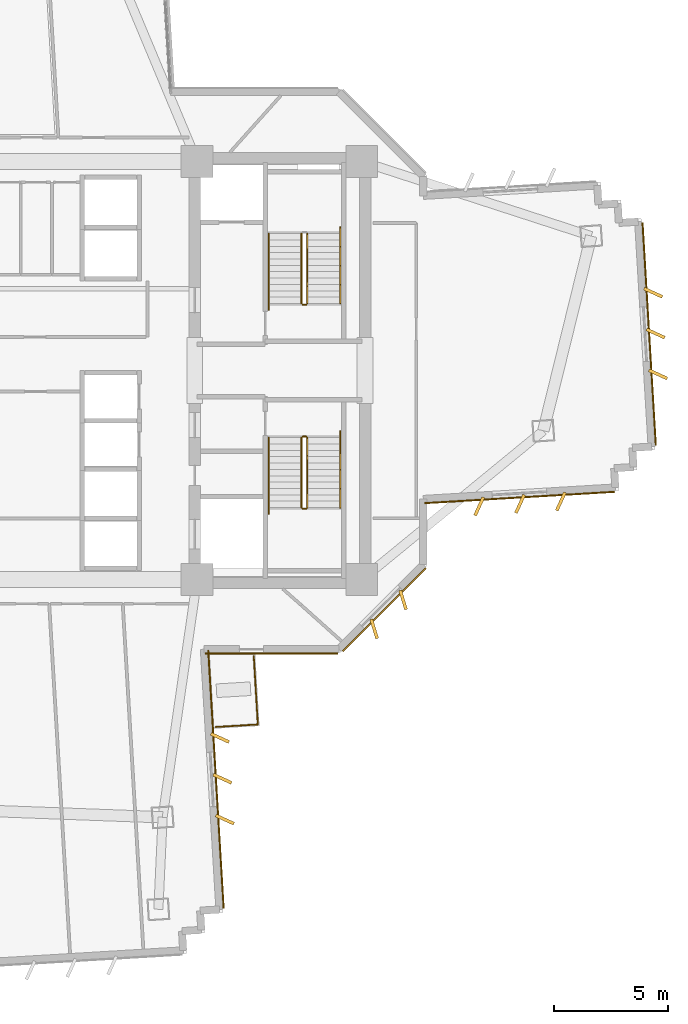
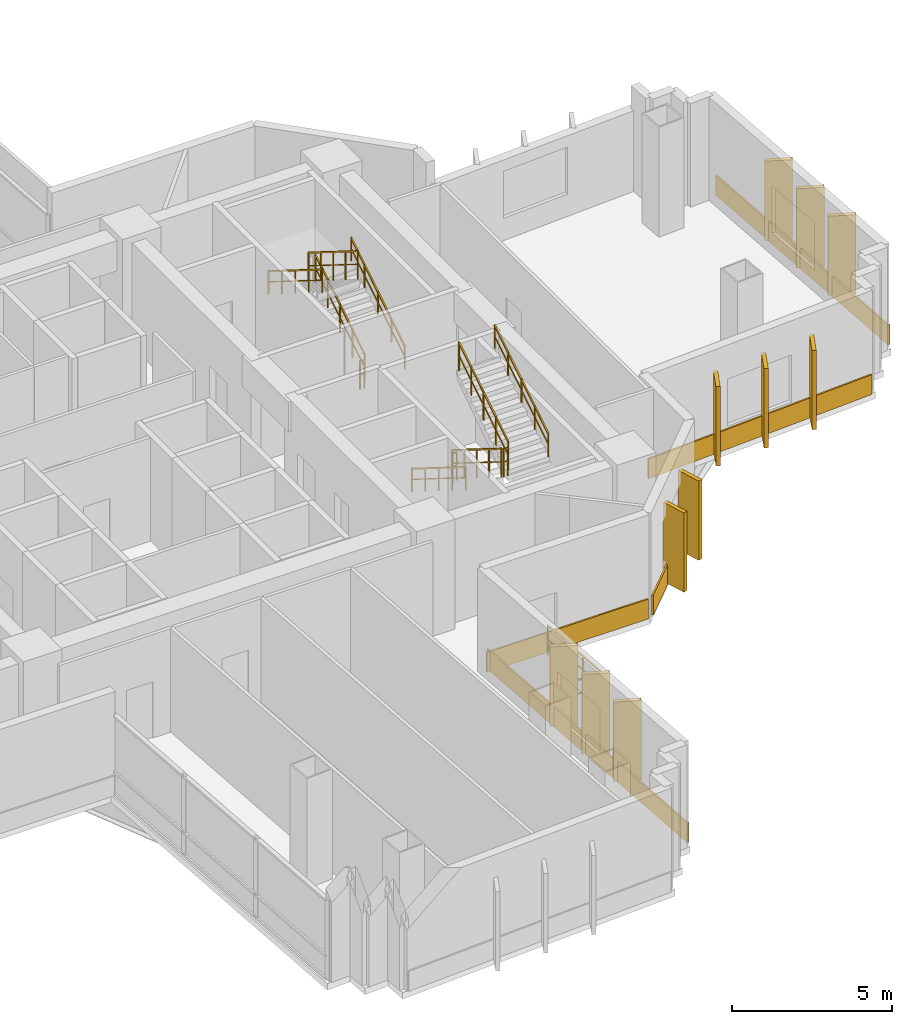
# One storey, part 13 of 15: 16 coverings, 13 railings.
"""IFC4 building model written with IfcOpenShell, lengths in metres."""

from ifc_helpers import new_model, si_unit, direction, frame, origin, origin_2d, place, context, subcontext, project, spatial, rectangle, extrude, source, transform, mapped, material, layer, layer_set, type_object, element, save


model = new_model("IFC4")

# Units and contexts
model_context = context("Model", 3, precision=1e-05, world=origin(), true_north=direction((0.0, 1.0)))
body_context = subcontext(model_context, "Body", "Model", "MODEL_VIEW")
ifc_project = project(units=[si_unit("LENGTHUNIT", "METRE"), si_unit("AREAUNIT", "SQUARE_METRE"), si_unit("VOLUMEUNIT", "CUBIC_METRE"), si_unit("PLANEANGLEUNIT", "RADIAN"), si_unit("MASSUNIT", "GRAM", prefix="KILO")], contexts=[model_context])

# Site, building, storey
site_placement = place(None, origin())
site = spatial("IfcSite", under=ifc_project, at=site_placement, CompositionType="ELEMENT")
building_placement = place(site_placement, origin())
building = spatial("IfcBuilding", under=site, at=building_placement, Name="Zahravan Cultural Tower", CompositionType="ELEMENT")
storey_placement = place(building_placement, frame((0.0, 0.0, 66.89990234375)))
storey = spatial("IfcBuildingStorey", under=building, at=storey_placement, Name="L14", CompositionType="ELEMENT", Elevation=66.89990234375)

# Railings
ifc_material_1 = material(Name="Steel ASTM A572 Grade 50", Category="steel")
railing_type_1 = type_object("IfcRailingType", Name="RL-BAL-1150", PredefinedType="BALUSTRADE", material=ifc_material_1)
railing_1_placement = place(storey_placement, frame((45.776611328125, 11.425537109375, 0.0)))
element("IfcRailing", 1, at=railing_1_placement, inside=storey, type_object=railing_type_1, Name="L14 Edge Balustrade GRD-TR-L14-SE-01", PredefinedType="BALUSTRADE", context=body_context, shape_type="SweptSolid", body=[
    extrude(rectangle(XDim=0.05, YDim=0.05, at=origin_2d()), frame((0.0, 0.0, 1.125), z_axis=(-0.99821980282, -0.059642478635, 0.0), x_axis=(0.059642478635, -0.99821980282, 0.0)), (0.0, 0.0, 1.0), 1.85009765625),
    extrude(rectangle(XDim=0.032, YDim=0.032, at=origin_2d()), frame((0.0, 0.0, 0.597900390625), z_axis=(-0.99821980282, -0.059642478635, 0.0), x_axis=(0.059642478635, -0.99821980282, 0.0)), (0.0, 0.0, 1.0), 1.85009765625),
    extrude(rectangle(XDim=0.04, YDim=0.04, at=origin_2d()), origin(), (0.0, 0.0, 1.0), 1.14990234375),
    extrude(rectangle(XDim=0.04, YDim=0.04, at=origin_2d()), frame((-0.92333984375, -0.05517578125, 0.0)), (0.0, 0.0, 1.0), 1.14990234375),
    extrude(rectangle(XDim=0.04, YDim=0.04, at=origin_2d()), frame((-1.846923828125, -0.1103515625, 0.0)), (0.0, 0.0, 1.0), 1.14990234375),
])
railing_2_placement = place(storey_placement, frame((45.597412109375, 14.419921875, 0.0)))
element("IfcRailing", 2, at=railing_2_placement, inside=storey, type_object=railing_type_1, Name="L14 Edge Balustrade GRD-TR-L14-SE-02", PredefinedType="BALUSTRADE", context=body_context, shape_type="SweptSolid", body=[
    extrude(rectangle(XDim=0.05, YDim=0.05, at=origin_2d()), frame((0.0, 0.0, 1.125), z_axis=(0.059738209015, -0.998214078434, 0.0), x_axis=(0.998214078434, 0.059738209015, 0.0)), (0.0, 0.0, 1.0), 2.999755859375),
    extrude(rectangle(XDim=0.032, YDim=0.032, at=origin_2d()), frame((0.0, 0.0, 0.597900390625), z_axis=(0.059738209015, -0.998214078434, 0.0), x_axis=(0.998214078434, 0.059738209015, 0.0)), (0.0, 0.0, 1.0), 2.999755859375),
    extrude(rectangle(XDim=0.04, YDim=0.04, at=origin_2d()), origin(), (0.0, 0.0, 1.0), 1.14990234375),
    extrude(rectangle(XDim=0.04, YDim=0.04, at=origin_2d()), frame((0.059814453125, -0.998046875, 0.0)), (0.0, 0.0, 1.0), 1.14990234375),
    extrude(rectangle(XDim=0.04, YDim=0.04, at=origin_2d()), frame((0.119384765625, -1.996337890625, 0.0)), (0.0, 0.0, 1.0), 1.14990234375),
    extrude(rectangle(XDim=0.04, YDim=0.04, at=origin_2d()), frame((0.17919921875, -2.994384765625, 0.0)), (0.0, 0.0, 1.0), 1.14990234375),
])
railing_type_2 = type_object("IfcRailingType", Name="RL-STAIR-GRD1150", PredefinedType="BALUSTRADE", material=ifc_material_1)
railing_3_placement = place(storey_placement, frame((47.949951171875, 29.949951171875, 0.175048828125)))
element("IfcRailing", 3, at=railing_3_placement, inside=storey, type_object=railing_type_2, Name="L14 ST-E1 stair guard 1", PredefinedType="BALUSTRADE", context=body_context, shape_type="SweptSolid", body=[
    extrude(rectangle(XDim=0.05, YDim=0.05, at=origin_2d()), frame((0.0, 0.0, 1.0751953125), z_axis=(0.0, 0.847998304005, 0.529998940003), x_axis=(-1.0, 0.0, 0.0)), (0.0, 0.0, 1.0), 3.632080078125),
    extrude(rectangle(XDim=0.032, YDim=0.032, at=origin_2d()), frame((0.0, 0.0, 0.572021484375), z_axis=(0.0, 0.847998304005, 0.529998940003), x_axis=(-1.0, 0.0, 0.0)), (0.0, 0.0, 1.0), 3.632080078125),
    extrude(rectangle(XDim=0.04, YDim=0.04, at=origin_2d()), origin(), (0.0, 0.0, 1.0), 1.10009765625),
    extrude(rectangle(XDim=0.04, YDim=0.04, at=origin_2d()), frame((0.0, 0.77001953125, 0.481201171875)), (0.0, 0.0, 1.0), 1.10009765625),
    extrude(rectangle(XDim=0.04, YDim=0.04, at=origin_2d()), frame((0.0, 1.5400390625, 0.96240234375)), (0.0, 0.0, 1.0), 1.10009765625),
    extrude(rectangle(XDim=0.04, YDim=0.04, at=origin_2d()), frame((0.0, 2.31005859375, 1.44384765625)), (0.0, 0.0, 1.0), 1.10009765625),
    extrude(rectangle(XDim=0.04, YDim=0.04, at=origin_2d()), frame((0.0, 3.080078125, 1.925048828125)), (0.0, 0.0, 1.0), 1.10009765625),
])
railing_4_placement = place(storey_placement, frame((47.699951171875, 33.030029296875, 2.275146484375)))
element("IfcRailing", 4, at=railing_4_placement, inside=storey, type_object=railing_type_2, Name="L14 ST-E1 stair guard 3", PredefinedType="BALUSTRADE", context=body_context, shape_type="SweptSolid", body=[
    extrude(rectangle(XDim=0.05, YDim=0.05, at=origin_2d()), frame((0.0, 0.0, 1.0751953125), z_axis=(0.0, -0.847998304005, 0.529998940003), x_axis=(1.0, 0.0, 0.0)), (0.0, 0.0, 1.0), 3.632080078125),
    extrude(rectangle(XDim=0.032, YDim=0.032, at=origin_2d()), frame((0.0, 0.0, 0.572021484375), z_axis=(0.0, -0.847998304005, 0.529998940003), x_axis=(1.0, 0.0, 0.0)), (0.0, 0.0, 1.0), 3.632080078125),
    extrude(rectangle(XDim=0.04, YDim=0.04, at=origin_2d()), origin(), (0.0, 0.0, 1.0), 1.10009765625),
    extrude(rectangle(XDim=0.04, YDim=0.04, at=origin_2d()), frame((0.0, -0.77001953125, 0.481201171875)), (0.0, 0.0, 1.0), 1.10009765625),
    extrude(rectangle(XDim=0.04, YDim=0.04, at=origin_2d()), frame((0.0, -1.5400390625, 0.96240234375)), (0.0, 0.0, 1.0), 1.10009765625),
    extrude(rectangle(XDim=0.04, YDim=0.04, at=origin_2d()), frame((0.0, -2.31005859375, 1.44384765625)), (0.0, 0.0, 1.0), 1.10009765625),
    extrude(rectangle(XDim=0.04, YDim=0.04, at=origin_2d()), frame((0.0, -3.080078125, 1.925048828125)), (0.0, 0.0, 1.0), 1.10009765625),
])
railing_5_placement = place(storey_placement, frame((47.89990234375, 29.89990234375, 0.0)))
element("IfcRailing", 5, at=railing_5_placement, inside=storey, type_object=railing_type_2, Name="L14 ST-E1 stair guard 4", PredefinedType="BALUSTRADE", context=body_context, shape_type="SweptSolid", body=[
    extrude(rectangle(XDim=0.05, YDim=0.05, at=origin_2d()), frame((0.0, 0.0, 1.0751953125), z_axis=(-1.0, 0.0, 0.0), x_axis=(0.0, -1.0, 0.0)), (0.0, 0.0, 1.0), 0.14990234375),
    extrude(rectangle(XDim=0.032, YDim=0.032, at=origin_2d()), frame((0.0, 0.0, 0.572021484375), z_axis=(-1.0, 0.0, 0.0), x_axis=(0.0, -1.0, 0.0)), (0.0, 0.0, 1.0), 0.14990234375),
    extrude(rectangle(XDim=0.04, YDim=0.04, at=origin_2d()), origin(), (0.0, 0.0, 1.0), 1.10009765625),
    extrude(rectangle(XDim=0.04, YDim=0.04, at=origin_2d()), frame((-0.14990234375, 0.0, 0.0)), (0.0, 0.0, 1.0), 1.10009765625),
])
railing_6_placement = place(storey_placement, frame((47.699951171875, 24.050048828125, 0.175048828125)))
element("IfcRailing", 6, at=railing_6_placement, inside=storey, type_object=railing_type_2, Name="L14 ST-E2 stair guard 1", PredefinedType="BALUSTRADE", context=body_context, shape_type="SweptSolid", body=[
    extrude(rectangle(XDim=0.05, YDim=0.05, at=origin_2d()), frame((0.0, 0.0, 1.0751953125), z_axis=(0.0, -0.847998304005, 0.529998940003), x_axis=(1.0, 0.0, 0.0)), (0.0, 0.0, 1.0), 3.632080078125),
    extrude(rectangle(XDim=0.032, YDim=0.032, at=origin_2d()), frame((0.0, 0.0, 0.572021484375), z_axis=(0.0, -0.847998304005, 0.529998940003), x_axis=(1.0, 0.0, 0.0)), (0.0, 0.0, 1.0), 3.632080078125),
    extrude(rectangle(XDim=0.04, YDim=0.04, at=origin_2d()), origin(), (0.0, 0.0, 1.0), 1.10009765625),
    extrude(rectangle(XDim=0.04, YDim=0.04, at=origin_2d()), frame((0.0, -0.77001953125, 0.481201171875)), (0.0, 0.0, 1.0), 1.10009765625),
    extrude(rectangle(XDim=0.04, YDim=0.04, at=origin_2d()), frame((0.0, -1.5400390625, 0.96240234375)), (0.0, 0.0, 1.0), 1.10009765625),
    extrude(rectangle(XDim=0.04, YDim=0.04, at=origin_2d()), frame((0.0, -2.31005859375, 1.44384765625)), (0.0, 0.0, 1.0), 1.10009765625),
    extrude(rectangle(XDim=0.04, YDim=0.04, at=origin_2d()), frame((0.0, -3.080078125, 1.925048828125)), (0.0, 0.0, 1.0), 1.10009765625),
])
railing_7_placement = place(storey_placement, frame((47.75, 20.919921875, 2.10009765625)))
element("IfcRailing", 7, at=railing_7_placement, inside=storey, type_object=railing_type_2, Name="L14 ST-E2 stair guard 2", PredefinedType="BALUSTRADE", context=body_context, shape_type="SweptSolid", body=[
    extrude(rectangle(XDim=0.05, YDim=0.05, at=origin_2d()), frame((0.0, 0.0, 1.0751953125), z_axis=(1.0, 0.0, 0.0), x_axis=(0.0, 1.0, 0.0)), (0.0, 0.0, 1.0), 0.14990234375),
    extrude(rectangle(XDim=0.032, YDim=0.032, at=origin_2d()), frame((0.0, 0.0, 0.572021484375), z_axis=(1.0, 0.0, 0.0), x_axis=(0.0, 1.0, 0.0)), (0.0, 0.0, 1.0), 0.14990234375),
    extrude(rectangle(XDim=0.04, YDim=0.04, at=origin_2d()), origin(), (0.0, 0.0, 1.0), 1.10009765625),
    extrude(rectangle(XDim=0.04, YDim=0.04, at=origin_2d()), frame((0.14990234375, 0.0, 0.0)), (0.0, 0.0, 1.0), 1.10009765625),
])
railing_8_placement = place(storey_placement, frame((47.949951171875, 20.969970703125, 2.275146484375)))
element("IfcRailing", 8, at=railing_8_placement, inside=storey, type_object=railing_type_2, Name="L14 ST-E2 stair guard 3", PredefinedType="BALUSTRADE", context=body_context, shape_type="SweptSolid", body=[
    extrude(rectangle(XDim=0.05, YDim=0.05, at=origin_2d()), frame((0.0, 0.0, 1.0751953125), z_axis=(0.0, 0.847998304005, 0.529998940003), x_axis=(-1.0, 0.0, 0.0)), (0.0, 0.0, 1.0), 3.632080078125),
    extrude(rectangle(XDim=0.032, YDim=0.032, at=origin_2d()), frame((0.0, 0.0, 0.572021484375), z_axis=(0.0, 0.847998304005, 0.529998940003), x_axis=(-1.0, 0.0, 0.0)), (0.0, 0.0, 1.0), 3.632080078125),
    extrude(rectangle(XDim=0.04, YDim=0.04, at=origin_2d()), origin(), (0.0, 0.0, 1.0), 1.10009765625),
    extrude(rectangle(XDim=0.04, YDim=0.04, at=origin_2d()), frame((0.0, 0.77001953125, 0.481201171875)), (0.0, 0.0, 1.0), 1.10009765625),
    extrude(rectangle(XDim=0.04, YDim=0.04, at=origin_2d()), frame((0.0, 1.5400390625, 0.96240234375)), (0.0, 0.0, 1.0), 1.10009765625),
    extrude(rectangle(XDim=0.04, YDim=0.04, at=origin_2d()), frame((0.0, 2.31005859375, 1.44384765625)), (0.0, 0.0, 1.0), 1.10009765625),
    extrude(rectangle(XDim=0.04, YDim=0.04, at=origin_2d()), frame((0.0, 3.080078125, 1.925048828125)), (0.0, 0.0, 1.0), 1.10009765625),
])
railing_9_placement = place(storey_placement, frame((47.75, 24.10009765625, 0.0)))
element("IfcRailing", 9, at=railing_9_placement, inside=storey, type_object=railing_type_2, Name="L14 ST-E2 stair guard 4", PredefinedType="BALUSTRADE", context=body_context, shape_type="SweptSolid", body=[
    extrude(rectangle(XDim=0.05, YDim=0.05, at=origin_2d()), frame((0.0, 0.0, 1.0751953125), z_axis=(1.0, 0.0, 0.0), x_axis=(0.0, 1.0, 0.0)), (0.0, 0.0, 1.0), 0.14990234375),
    extrude(rectangle(XDim=0.032, YDim=0.032, at=origin_2d()), frame((0.0, 0.0, 0.572021484375), z_axis=(1.0, 0.0, 0.0), x_axis=(0.0, 1.0, 0.0)), (0.0, 0.0, 1.0), 0.14990234375),
    extrude(rectangle(XDim=0.04, YDim=0.04, at=origin_2d()), origin(), (0.0, 0.0, 1.0), 1.10009765625),
    extrude(rectangle(XDim=0.04, YDim=0.04, at=origin_2d()), frame((0.14990234375, 0.0, 0.0)), (0.0, 0.0, 1.0), 1.10009765625),
])
railing_type_3 = type_object("IfcRailingType", Name="RL-STAIR-HR900", PredefinedType="HANDRAIL", material=ifc_material_1)
railing_10_placement = place(storey_placement, frame((49.39990234375, 29.949951171875, 0.175048828125)))
element("IfcRailing", 10, at=railing_10_placement, inside=storey, type_object=railing_type_3, Name="L14 ST-E1 stair handrail 1", PredefinedType="HANDRAIL", context=body_context, shape_type="SweptSolid", body=[
    extrude(rectangle(XDim=0.05, YDim=0.05, at=origin_2d()), frame((0.0, 0.0, 0.875), z_axis=(0.0, 0.847994842521, 0.530004478338), x_axis=(-1.0, 0.0, 0.0)), (0.0, 0.0, 1.0), 3.96240234375),
    extrude(rectangle(XDim=0.032, YDim=0.032, at=origin_2d()), frame((0.0, 0.0, 0.468017578125), z_axis=(0.0, 0.847994842521, 0.530004478338), x_axis=(-1.0, 0.0, 0.0)), (0.0, 0.0, 1.0), 3.96240234375),
    extrude(rectangle(XDim=0.04, YDim=0.04, at=origin_2d()), origin(), (0.0, 0.0, 1.0), 0.89990234375),
    extrude(rectangle(XDim=0.04, YDim=0.04, at=origin_2d()), frame((0.0, 0.840087890625, 0.52490234375)), (0.0, 0.0, 1.0), 0.89990234375),
    extrude(rectangle(XDim=0.04, YDim=0.04, at=origin_2d()), frame((0.0, 1.68017578125, 1.050048828125)), (0.0, 0.0, 1.0), 0.89990234375),
    extrude(rectangle(XDim=0.04, YDim=0.04, at=origin_2d()), frame((0.0, 2.52001953125, 1.5751953125)), (0.0, 0.0, 1.0), 0.89990234375),
    extrude(rectangle(XDim=0.04, YDim=0.04, at=origin_2d()), frame((0.0, 3.360107421875, 2.10009765625)), (0.0, 0.0, 1.0), 0.89990234375),
])
railing_11_placement = place(storey_placement, frame((46.25, 33.030029296875, 2.275146484375)))
element("IfcRailing", 11, at=railing_11_placement, inside=storey, type_object=railing_type_3, Name="L14 ST-E1 stair handrail 2", PredefinedType="HANDRAIL", context=body_context, shape_type="SweptSolid", body=[
    extrude(rectangle(XDim=0.05, YDim=0.05, at=origin_2d()), frame((0.0, 0.0, 0.875), z_axis=(0.0, -0.848022534174, 0.529960169762), x_axis=(1.0, 0.0, 0.0)), (0.0, 0.0, 1.0), 3.96240234375),
    extrude(rectangle(XDim=0.032, YDim=0.032, at=origin_2d()), frame((0.0, 0.0, 0.468017578125), z_axis=(0.0, -0.848022534174, 0.529960169762), x_axis=(1.0, 0.0, 0.0)), (0.0, 0.0, 1.0), 3.96240234375),
    extrude(rectangle(XDim=0.04, YDim=0.04, at=origin_2d()), origin(), (0.0, 0.0, 1.0), 0.89990234375),
    extrude(rectangle(XDim=0.04, YDim=0.04, at=origin_2d()), frame((0.0, -0.840087890625, 0.52490234375)), (0.0, 0.0, 1.0), 0.89990234375),
    extrude(rectangle(XDim=0.04, YDim=0.04, at=origin_2d()), frame((0.0, -1.68017578125, 1.0498046875)), (0.0, 0.0, 1.0), 0.89990234375),
    extrude(rectangle(XDim=0.04, YDim=0.04, at=origin_2d()), frame((0.0, -2.52001953125, 1.574951171875)), (0.0, 0.0, 1.0), 0.89990234375),
    extrude(rectangle(XDim=0.04, YDim=0.04, at=origin_2d()), frame((0.0, -3.360107421875, 2.099853515625)), (0.0, 0.0, 1.0), 0.89990234375),
])
railing_12_placement = place(storey_placement, frame((46.25, 24.050048828125, 0.175048828125)))
element("IfcRailing", 12, at=railing_12_placement, inside=storey, type_object=railing_type_3, Name="L14 ST-E2 stair handrail 1", PredefinedType="HANDRAIL", context=body_context, shape_type="SweptSolid", body=[
    extrude(rectangle(XDim=0.05, YDim=0.05, at=origin_2d()), frame((0.0, 0.0, 0.875), z_axis=(0.0, -0.847994842521, 0.530004478338), x_axis=(1.0, 0.0, 0.0)), (0.0, 0.0, 1.0), 3.96240234375),
    extrude(rectangle(XDim=0.032, YDim=0.032, at=origin_2d()), frame((0.0, 0.0, 0.468017578125), z_axis=(0.0, -0.847994842521, 0.530004478338), x_axis=(1.0, 0.0, 0.0)), (0.0, 0.0, 1.0), 3.96240234375),
    extrude(rectangle(XDim=0.04, YDim=0.04, at=origin_2d()), origin(), (0.0, 0.0, 1.0), 0.89990234375),
    extrude(rectangle(XDim=0.04, YDim=0.04, at=origin_2d()), frame((0.0, -0.840087890625, 0.52490234375)), (0.0, 0.0, 1.0), 0.89990234375),
    extrude(rectangle(XDim=0.04, YDim=0.04, at=origin_2d()), frame((0.0, -1.68017578125, 1.050048828125)), (0.0, 0.0, 1.0), 0.89990234375),
    extrude(rectangle(XDim=0.04, YDim=0.04, at=origin_2d()), frame((0.0, -2.52001953125, 1.5751953125)), (0.0, 0.0, 1.0), 0.89990234375),
    extrude(rectangle(XDim=0.04, YDim=0.04, at=origin_2d()), frame((0.0, -3.360107421875, 2.10009765625)), (0.0, 0.0, 1.0), 0.89990234375),
])
railing_13_placement = place(storey_placement, frame((49.39990234375, 20.969970703125, 2.275146484375)))
element("IfcRailing", 13, at=railing_13_placement, inside=storey, type_object=railing_type_3, Name="L14 ST-E2 stair handrail 2", PredefinedType="HANDRAIL", context=body_context, shape_type="SweptSolid", body=[
    extrude(rectangle(XDim=0.05, YDim=0.05, at=origin_2d()), frame((0.0, 0.0, 0.875), z_axis=(0.0, 0.848022534174, 0.529960169762), x_axis=(-1.0, 0.0, 0.0)), (0.0, 0.0, 1.0), 3.96240234375),
    extrude(rectangle(XDim=0.032, YDim=0.032, at=origin_2d()), frame((0.0, 0.0, 0.468017578125), z_axis=(0.0, 0.848022534174, 0.529960169762), x_axis=(-1.0, 0.0, 0.0)), (0.0, 0.0, 1.0), 3.96240234375),
    extrude(rectangle(XDim=0.04, YDim=0.04, at=origin_2d()), origin(), (0.0, 0.0, 1.0), 0.89990234375),
    extrude(rectangle(XDim=0.04, YDim=0.04, at=origin_2d()), frame((0.0, 0.840087890625, 0.52490234375)), (0.0, 0.0, 1.0), 0.89990234375),
    extrude(rectangle(XDim=0.04, YDim=0.04, at=origin_2d()), frame((0.0, 1.68017578125, 1.0498046875)), (0.0, 0.0, 1.0), 0.89990234375),
    extrude(rectangle(XDim=0.04, YDim=0.04, at=origin_2d()), frame((0.0, 2.52001953125, 1.574951171875)), (0.0, 0.0, 1.0), 0.89990234375),
    extrude(rectangle(XDim=0.04, YDim=0.04, at=origin_2d()), frame((0.0, 3.360107421875, 2.099853515625)), (0.0, 0.0, 1.0), 0.89990234375),
])

# Coverings
ifc_material_2 = material(Name="Terracotta ceramic cladding", Category="masonry")
ifc_layer = layer(ifc_material_2, 0.06005859375)
ifc_layer_set = layer_set([ifc_layer], Name="Terracotta ceramic cladding")
covering_type = type_object("IfcCoveringType", Name="COV-CLAD-TC60", PredefinedType="CLADDING", material=ifc_layer_set)
shared_shape_1 = source(origin(), body_context, "Body", "SweptSolid", [
    extrude(rectangle(XDim=9.820068359375, YDim=0.06005859375, at=origin_2d()), origin(), (0.0, 0.0, 1.0), 0.760009765625),
])
covering_1_placement = place(storey_placement, frame((62.996826171875, 28.61328125, 0.02001953125), z_axis=(0.0, 0.0, 1.0), x_axis=(0.05965482139, -0.998219065278, 0.0)))
element("IfcCovering", 14, at=covering_1_placement, inside=storey, type_object=covering_type, Name="L14 Terracotta Spandrel Cladding 06", PredefinedType="CLADDING", context=body_context, shape_type="MappedRepresentation", body=[
    mapped(shared_shape_1, transform((0.0, 0.0, 0.0), x_axis=(1.0, 0.0, 0.0), y_axis=(0.0, 1.0, 0.0), z_axis=(0.0, 0.0, 1.0), scale=1.0)),
])
shared_shape_2 = source(origin(), body_context, "Body", "SweptSolid", [
    extrude(rectangle(XDim=5.157958984375, YDim=0.06005859375, at=origin_2d()), origin(), (0.0, 0.0, 1.0), 0.760009765625),
])
covering_2_placement = place(storey_placement, frame((51.331787109375, 16.46826171875, 0.02001953125), z_axis=(0.0, 0.0, 1.0), x_axis=(-0.707106781187, -0.707106781187, 0.0)))
element("IfcCovering", 15, at=covering_2_placement, inside=storey, type_object=covering_type, Name="L14 Terracotta Spandrel Cladding 13", PredefinedType="CLADDING", context=body_context, shape_type="MappedRepresentation", body=[
    mapped(shared_shape_2, transform((0.0, 0.0, 0.0), x_axis=(1.0, 0.0, 0.0), y_axis=(0.0, 1.0, 0.0), z_axis=(0.0, 0.0, 1.0), scale=1.0)),
])
shared_shape_3 = source(origin(), body_context, "Body", "SweptSolid", [
    extrude(rectangle(XDim=0.8798828125, YDim=0.139892578125, at=origin_2d()), origin(), (0.0, 0.0, 1.0), 3.030029296875),
])
for number, where, z_axis, x_axis, name in (
    (16, (63.174072265625, 30.42724609375, 0.05029296875), (0.0, 0.0, 1.0), (0.909381363059, -0.41596338363, 0.0), "L14 Herringbone Terracotta Fin 04"),
    (17, (63.281494140625, 28.63037109375, 0.05029296875), (0.0, 0.0, 1.0), (0.909381363059, -0.41596338363, 0.0), "L14 Herringbone Terracotta Fin 05"),
    (18, (63.388671875, 26.83349609375, 0.05029296875), (0.0, 0.0, 1.0), (0.909381363059, -0.41596338363, 0.0), "L14 Herringbone Terracotta Fin 06"),
    (19, (59.111083984375, 21.238525390625, 0.05029296875), (0.0, 0.0, 1.0), (-0.41596338363, -0.909381363059, 0.0), "L14 Herringbone Terracotta Fin 07"),
    (20, (57.314208984375, 21.131103515625, 0.05029296875), (0.0, 0.0, 1.0), (-0.41596338363, -0.909381363059, 0.0), "L14 Herringbone Terracotta Fin 08"),
    (21, (55.517578125, 21.023681640625, 0.05029296875), (0.0, 0.0, 1.0), (-0.41596338363, -0.909381363059, 0.0), "L14 Herringbone Terracotta Fin 09"),
    (22, (52.169677734375, 16.903076171875, 0.05029296875), (0.0, 0.0, 1.0), (0.292371704723, -0.956304755963, 0.0), "L14 Herringbone Terracotta Fin 10"),
    (23, (50.89697265625, 15.63037109375, 0.05029296875), (0.0, 0.0, 1.0), (0.292371704723, -0.956304755963, 0.0), "L14 Herringbone Terracotta Fin 11"),
    (24, (44.108642578125, 10.8349609375, 0.05029296875), (0.0, 0.0, 1.0), (0.909381363059, -0.41596338363, 0.0), "L14 Herringbone Terracotta Fin 12"),
    (25, (44.216064453125, 9.0380859375, 0.05029296875), (0.0, 0.0, 1.0), (0.909381363059, -0.41596338363, 0.0), "L14 Herringbone Terracotta Fin 13"),
    (26, (44.323486328125, 7.241455078125, 0.05029296875), (0.0, 0.0, 1.0), (0.909381363059, -0.41596338363, 0.0), "L14 Herringbone Terracotta Fin 14"),
):
    element("IfcCovering", number, at=place(storey_placement, frame(where, z_axis=z_axis, x_axis=x_axis)), inside=storey, type_object=covering_type, Name=name, PredefinedType="CLADDING", context=body_context, shape_type="MappedRepresentation", body=[
        mapped(shared_shape_3, transform((0.0, 0.0, 0.0), x_axis=(1.0, 0.0, 0.0), y_axis=(0.0, 1.0, 0.0), z_axis=(0.0, 0.0, 1.0), scale=1.0)),
    ])
shared_shape_4 = source(origin(), body_context, "Body", "SweptSolid", [
    extrude(rectangle(XDim=8.36767578125, YDim=0.06005859375, at=origin_2d()), origin(), (0.0, 0.0, 1.0), 0.760009765625),
])
covering_3_placement = place(storey_placement, frame((57.29736328125, 21.41552734375, 0.02001953125), z_axis=(0.0, 0.0, 1.0), x_axis=(-0.998219065278, -0.05965482139, 0.0)))
element("IfcCovering", 27, at=covering_3_placement, inside=storey, type_object=covering_type, Name="L14 Terracotta Spandrel Cladding 11", PredefinedType="CLADDING", context=body_context, shape_type="MappedRepresentation", body=[
    mapped(shared_shape_4, transform((0.0, 0.0, 0.0), x_axis=(1.0, 0.0, 0.0), y_axis=(0.0, 1.0, 0.0), z_axis=(0.0, 0.0, 1.0), scale=1.0)),
])
shared_shape_5 = source(origin(), body_context, "Body", "SweptSolid", [
    extrude(rectangle(XDim=5.83740234375, YDim=0.06005859375, at=origin_2d()), origin(), (0.0, 0.0, 1.0), 0.760009765625),
])
covering_4_placement = place(storey_placement, frame((46.373291015625, 14.554931640625, 0.02001953125), z_axis=(0.0, 0.0, 1.0), x_axis=(-1.0, 0.0, 0.0)))
element("IfcCovering", 28, at=covering_4_placement, inside=storey, type_object=covering_type, Name="L14 Terracotta Spandrel Cladding 14", PredefinedType="CLADDING", context=body_context, shape_type="MappedRepresentation", body=[
    mapped(shared_shape_5, transform((0.0, 0.0, 0.0), x_axis=(1.0, 0.0, 0.0), y_axis=(0.0, 1.0, 0.0), z_axis=(0.0, 0.0, 1.0), scale=1.0)),
])
shared_shape_6 = source(origin(), body_context, "Body", "SweptSolid", [
    extrude(rectangle(XDim=11.380126953125, YDim=0.06005859375, at=origin_2d()), origin(), (0.0, 0.0, 1.0), 0.760009765625),
])
covering_5_placement = place(storey_placement, frame((43.931640625, 9.021240234375, 0.02001953125), z_axis=(0.0, 0.0, 1.0), x_axis=(0.05965482139, -0.998219065278, 0.0)))
element("IfcCovering", 29, at=covering_5_placement, inside=storey, type_object=covering_type, Name="L14 Terracotta Spandrel Cladding 15", PredefinedType="CLADDING", context=body_context, shape_type="MappedRepresentation", body=[
    mapped(shared_shape_6, transform((0.0, 0.0, 0.0), x_axis=(1.0, 0.0, 0.0), y_axis=(0.0, 1.0, 0.0), z_axis=(0.0, 0.0, 1.0), scale=1.0)),
])

save(model, "model.ifc")
